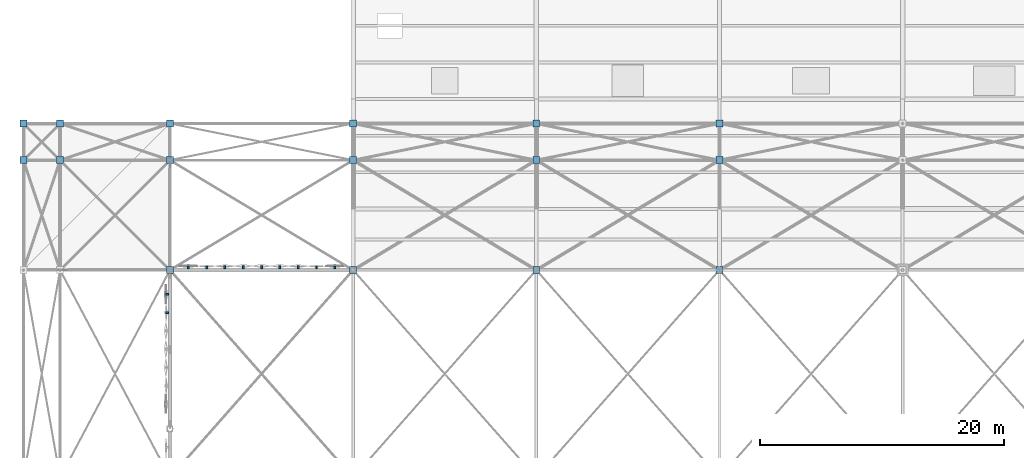
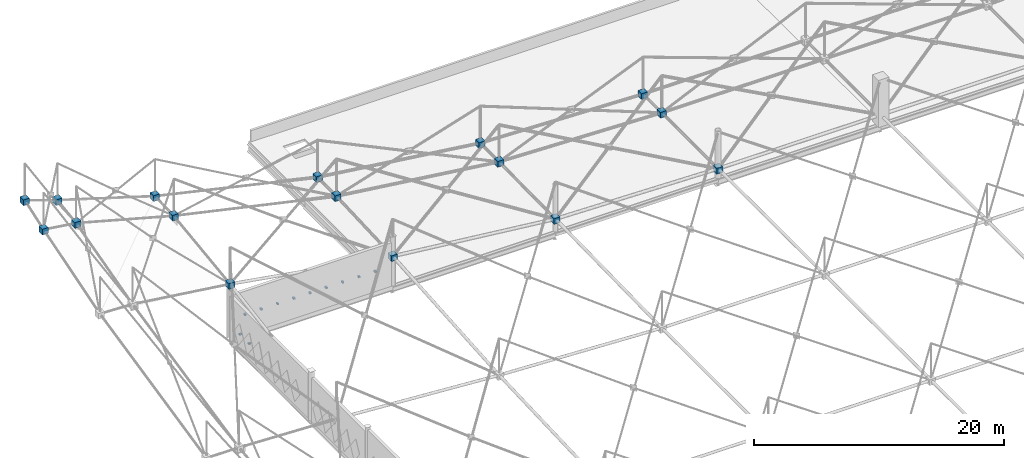
# One storey, part 210 of 224: 27 discrete accessories.
"""IFC4 building model written with IfcOpenShell, lengths in metres."""

from ifc_helpers import new_model, si_unit, direction, frame, origin, origin_2d, place, context, subcontext, project, spatial, rectangle, extrude, material, type_object, element, save


model = new_model("IFC4")

# Units and contexts
model_context = context("Model", 3, precision=1e-05, world=origin(), true_north=direction((0.0, 1.0)))
body_context = subcontext(model_context, "Body", "Model", "MODEL_VIEW")
ifc_project = project(units=[si_unit("LENGTHUNIT", "METRE"), si_unit("AREAUNIT", "SQUARE_METRE"), si_unit("VOLUMEUNIT", "CUBIC_METRE"), si_unit("PLANEANGLEUNIT", "RADIAN"), si_unit("MASSUNIT", "GRAM", prefix="KILO")], contexts=[model_context])

# Site, building, storey
site_placement = place(None, origin())
site = spatial("IfcSite", under=ifc_project, at=site_placement, CompositionType="ELEMENT")
building_placement = place(site_placement, origin())
building = spatial("IfcBuilding", under=site, at=building_placement, Name="Qamarlyn Nura Convention Centre", CompositionType="ELEMENT")
storey_placement = place(building_placement, frame((0.0, 0.0, 10.800048828125)))
storey = spatial("IfcBuildingStorey", under=building, at=storey_placement, Name="L02", CompositionType="ELEMENT", Elevation=10.800048828125)

# Discrete accessories
ifc_material_1 = material(Name="Pearl-white PVDF steel ASTM A500 Grade C", Category="steel")
discrete_accessory_type_1 = type_object("IfcDiscreteAccessoryType", Name="ACC-SF-NODE", PredefinedType="USERDEFINED", material=ifc_material_1)
for number, where, z_axis, x_axis, name in (
    (1, (-12.0, 112.0, 9.0830078125), (0.0, 0.0, 1.0), (1.0, 0.0, 0.0), "Cast space frame node BC-0-8"),
    (2, (-12.0, 115.0, 10.119873046875), (0.0, 0.0, 1.0), (1.0, 0.0, 0.0), "Cast space frame node BC-0-9"),
    (3, (-9.0, 112.0, 8.670654296875), (0.0, 0.0, 1.0), (1.0, 0.0, 0.0), "Cast space frame node BC-1-8"),
    (4, (-9.0, 115.0, 9.0830078125), (0.0, 0.0, 1.0), (1.0, 0.0, 0.0), "Cast space frame node BC-1-9"),
    (5, (0.0, 103.0, 5.0341796875), (0.0, 0.0, 1.0), (1.0, 0.0, 0.0), "Cast space frame node BC-2-7"),
    (6, (0.0, 112.0, 6.2255859375), (0.0, 0.0, 1.0), (1.0, 0.0, 0.0), "Cast space frame node BC-2-8"),
    (7, (0.0, 115.0, 6.327392578125), (0.0, 0.0, 1.0), (1.0, 0.0, 0.0), "Cast space frame node BC-2-9"),
    (8, (15.0, 103.0, 2.488525390625), (0.0, 0.0, 1.0), (1.0, 0.0, 0.0), "Cast space frame node BC-3-7"),
    (9, (15.0, 112.0, 2.890625), (0.0, 0.0, 1.0), (1.0, 0.0, 0.0), "Cast space frame node BC-3-8"),
    (10, (15.0, 115.0, 2.919921875), (0.0, 0.0, 1.0), (1.0, 0.0, 0.0), "Cast space frame node BC-3-9"),
    (11, (30.0, 103.0, 0.87060546875), (0.0, 0.0, 1.0), (1.0, 0.0, 0.0), "Cast space frame node BC-4-7"),
    (12, (30.0, 112.0, 0.985595703125), (0.0, 0.0, 1.0), (1.0, 0.0, 0.0), "Cast space frame node BC-4-8"),
    (13, (30.0, 115.0, 0.994140625), (0.0, 0.0, 1.0), (1.0, 0.0, 0.0), "Cast space frame node BC-4-9"),
    (14, (45.0, 103.0, 0.52001953125), (0.0, 0.0, 1.0), (1.0, 0.0, 0.0), "Cast space frame node BC-5-7"),
    (15, (45.0, 112.0, 0.52001953125), (0.0, 0.0, 1.0), (1.0, 0.0, 0.0), "Cast space frame node BC-5-8"),
    (16, (45.0, 115.0, 0.52001953125), (0.0, 0.0, 1.0), (1.0, 0.0, 0.0), "Cast space frame node BC-5-9"),
):
    element("IfcDiscreteAccessory", number, at=place(storey_placement, frame(where, z_axis=z_axis, x_axis=x_axis)), inside=storey, type_object=discrete_accessory_type_1, Name=name, ObjectType="SPACE FRAME NODE", PredefinedType="USERDEFINED", context=body_context, shape_type="SweptSolid", body=[
        extrude(rectangle(XDim=0.56005859375, YDim=0.56005859375, at=origin_2d()), origin(), (0.0, 0.0, 1.0), 0.56005859375),
    ])
ifc_material_2 = material(Name="Marine Grade 316 stainless steel", Category="steel")
discrete_accessory_type_2 = type_object("IfcDiscreteAccessoryType", Name="ACC-TILE-BRK", PredefinedType="BRACKET", material=ifc_material_2)
discrete_accessory_1_placement = place(storey_placement, frame((-0.22119140625, 99.520751953125, 1.6201171875), z_axis=(0.0, 0.0, 1.0), x_axis=(-1.0, 0.0, 0.0)))
element("IfcDiscreteAccessory", 17, at=discrete_accessory_1_placement, inside=storey, type_object=discrete_accessory_type_2, Name="L02 diamond tile pivot bracket 0240", PredefinedType="BRACKET", context=body_context, shape_type="SweptSolid", body=[
    extrude(rectangle(XDim=0.222412109375, YDim=0.159912109375, at=origin_2d()), origin(), (0.0, 0.0, 1.0), 0.159912109375),
])
for number, where, z_axis, x_axis, name in (
    (18, (-0.217529296875, 101.020751953125, 1.6201171875), (0.0, 0.0, 1.0), (-1.0, 0.0, 0.0), "L02 diamond tile pivot bracket 0241"),
    (19, (1.50048828125, 103.217529296875, 1.6201171875), (0.0, 0.0, 1.0), (0.0, 1.0, 0.0), "L02 diamond tile pivot bracket 0278"),
):
    element("IfcDiscreteAccessory", number, at=place(storey_placement, frame(where, z_axis=z_axis, x_axis=x_axis)), inside=storey, type_object=discrete_accessory_type_2, Name=name, PredefinedType="BRACKET", context=body_context, shape_type="SweptSolid", body=[
        extrude(rectangle(XDim=0.215087890625, YDim=0.159912109375, at=origin_2d()), origin(), (0.0, 0.0, 1.0), 0.159912109375),
    ])
discrete_accessory_2_placement = place(storey_placement, frame((3.00048828125, 103.2197265625, 1.6201171875), z_axis=(0.0, 0.0, 1.0), x_axis=(0.0, 1.0, 0.0)))
element("IfcDiscreteAccessory", 20, at=discrete_accessory_2_placement, inside=storey, type_object=discrete_accessory_type_2, Name="L02 diamond tile pivot bracket 0279", PredefinedType="BRACKET", context=body_context, shape_type="SweptSolid", body=[
    extrude(rectangle(XDim=0.219482421875, YDim=0.159912109375, at=origin_2d()), origin(), (0.0, 0.0, 1.0), 0.159912109375),
])
discrete_accessory_3_placement = place(storey_placement, frame((4.500732421875, 103.224365234375, 1.6201171875), z_axis=(0.0, 0.0, 1.0), x_axis=(0.0, 1.0, 0.0)))
element("IfcDiscreteAccessory", 21, at=discrete_accessory_3_placement, inside=storey, type_object=discrete_accessory_type_2, Name="L02 diamond tile pivot bracket 0280", PredefinedType="BRACKET", context=body_context, shape_type="SweptSolid", body=[
    extrude(rectangle(XDim=0.228515625, YDim=0.159912109375, at=origin_2d()), origin(), (0.0, 0.0, 1.0), 0.159912109375),
])
for number, where, z_axis, x_axis, name in (
    (22, (6.000732421875, 103.2265625, 1.6201171875), (0.0, 0.0, 1.0), (0.0, 1.0, 0.0), "L02 diamond tile pivot bracket 0281"),
    (23, (7.500732421875, 103.2265625, 1.6201171875), (0.0, 0.0, 1.0), (0.0, 1.0, 0.0), "L02 diamond tile pivot bracket 0282"),
    (24, (9.000732421875, 103.2265625, 1.6201171875), (0.0, 0.0, 1.0), (0.0, 1.0, 0.0), "L02 diamond tile pivot bracket 0283"),
):
    element("IfcDiscreteAccessory", number, at=place(storey_placement, frame(where, z_axis=z_axis, x_axis=x_axis)), inside=storey, type_object=discrete_accessory_type_2, Name=name, PredefinedType="BRACKET", context=body_context, shape_type="SweptSolid", body=[
        extrude(rectangle(XDim=0.23291015625, YDim=0.159912109375, at=origin_2d()), origin(), (0.0, 0.0, 1.0), 0.159912109375),
    ])
discrete_accessory_4_placement = place(storey_placement, frame((10.500732421875, 103.224365234375, 1.6201171875), z_axis=(0.0, 0.0, 1.0), x_axis=(0.0, 1.0, 0.0)))
element("IfcDiscreteAccessory", 25, at=discrete_accessory_4_placement, inside=storey, type_object=discrete_accessory_type_2, Name="L02 diamond tile pivot bracket 0284", PredefinedType="BRACKET", context=body_context, shape_type="SweptSolid", body=[
    extrude(rectangle(XDim=0.228515625, YDim=0.159912109375, at=origin_2d()), origin(), (0.0, 0.0, 1.0), 0.159912109375),
])
discrete_accessory_5_placement = place(storey_placement, frame((12.000732421875, 103.2197265625, 1.6201171875), z_axis=(0.0, 0.0, 1.0), x_axis=(0.0, 1.0, 0.0)))
element("IfcDiscreteAccessory", 26, at=discrete_accessory_5_placement, inside=storey, type_object=discrete_accessory_type_2, Name="L02 diamond tile pivot bracket 0285", PredefinedType="BRACKET", context=body_context, shape_type="SweptSolid", body=[
    extrude(rectangle(XDim=0.219482421875, YDim=0.159912109375, at=origin_2d()), origin(), (0.0, 0.0, 1.0), 0.159912109375),
])
discrete_accessory_6_placement = place(storey_placement, frame((13.500732421875, 103.217529296875, 1.6201171875), z_axis=(0.0, 0.0, 1.0), x_axis=(0.0, 1.0, 0.0)))
element("IfcDiscreteAccessory", 27, at=discrete_accessory_6_placement, inside=storey, type_object=discrete_accessory_type_2, Name="L02 diamond tile pivot bracket 0286", PredefinedType="BRACKET", context=body_context, shape_type="SweptSolid", body=[
    extrude(rectangle(XDim=0.215087890625, YDim=0.159912109375, at=origin_2d()), origin(), (0.0, 0.0, 1.0), 0.159912109375),
])

save(model, "model.ifc")
